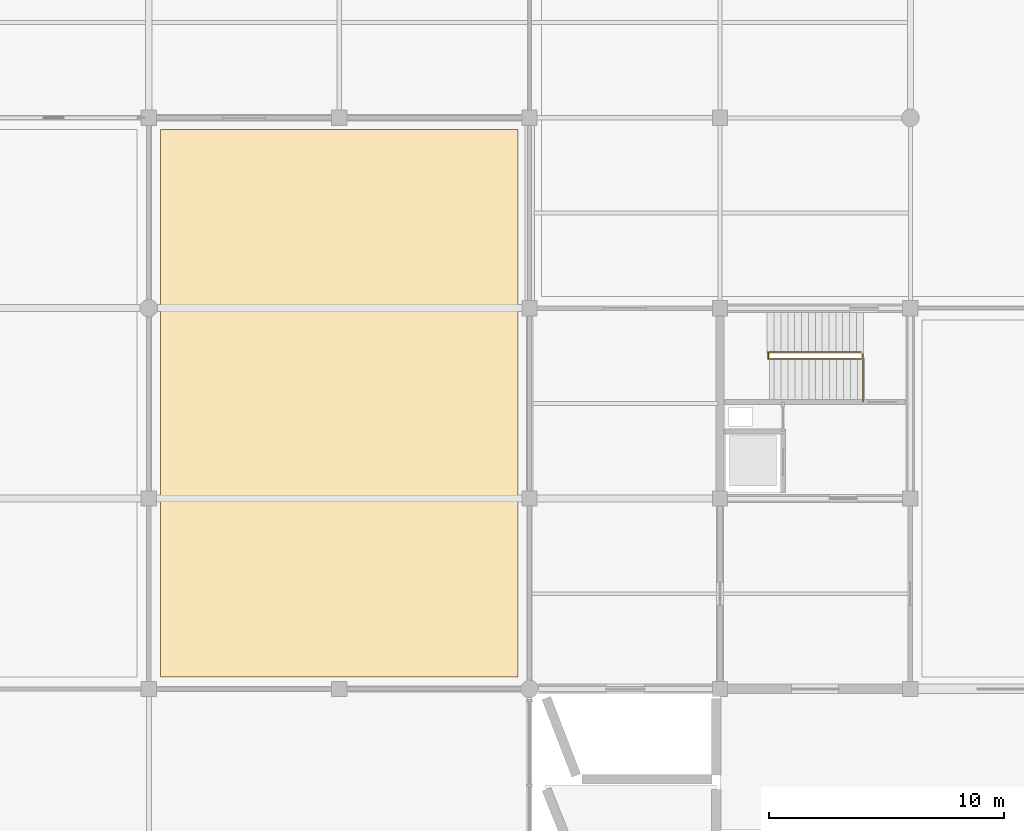
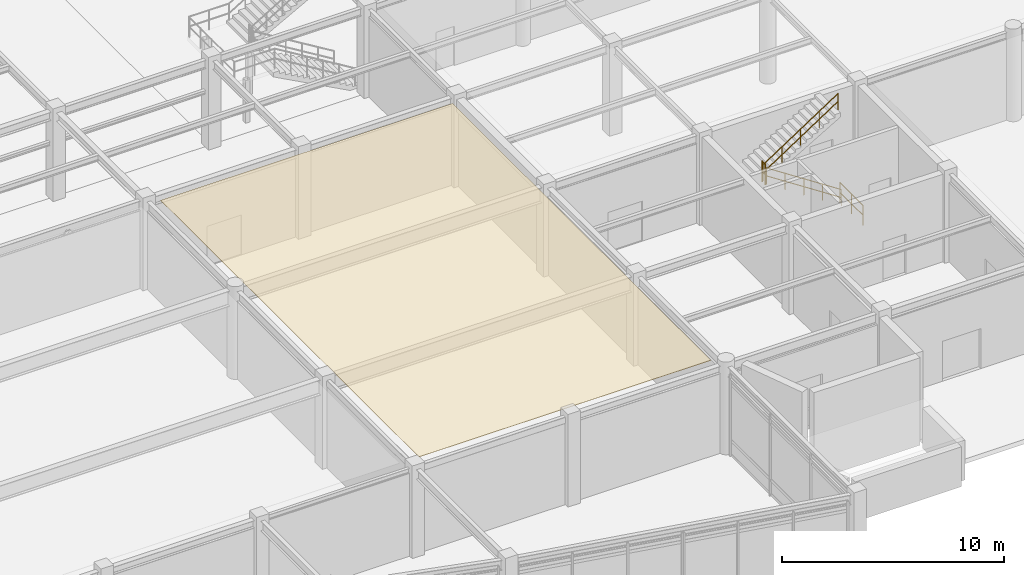
# One storey, part 88 of 99: 4 railings, 1 covering.
"""IFC4 building model written with IfcOpenShell, lengths in metres."""

from ifc_helpers import new_model, si_unit, direction, frame, origin, origin_2d, place, context, subcontext, project, spatial, polyline, circle, outline, extrude, material, layer, layer_set, type_object, element, save


model = new_model("IFC4")

# Units and contexts
model_context = context("Model", 3, precision=1e-05, world=origin(), true_north=direction((0.0, 1.0)))
body_context = subcontext(model_context, "Body", "Model", "MODEL_VIEW")
ifc_project = project(units=[si_unit("LENGTHUNIT", "METRE"), si_unit("AREAUNIT", "SQUARE_METRE"), si_unit("VOLUMEUNIT", "CUBIC_METRE"), si_unit("PLANEANGLEUNIT", "RADIAN"), si_unit("MASSUNIT", "GRAM", prefix="KILO")], contexts=[model_context])

# Site, building, storey
site_placement = place(None, origin())
site = spatial("IfcSite", under=ifc_project, at=site_placement, CompositionType="ELEMENT")
building_placement = place(site_placement, origin())
building = spatial("IfcBuilding", under=site, at=building_placement, Name="Vaudrelin Polytechnic", CompositionType="ELEMENT")
storey_placement = place(building_placement, origin())
storey = spatial("IfcBuildingStorey", under=building, at=storey_placement, Name="L00", CompositionType="ELEMENT", Elevation=0.0)

# Covering
ifc_material_1 = material(Name="Mineral-fibre acoustic ceiling tile NRC 0.85", Category="ceiling")
ifc_layer = layer(ifc_material_1, 0.02490234375)
ifc_layer_set = layer_set([ifc_layer], Name="Mineral-fibre acoustic ceiling tile NRC 0.85")
covering_type = type_object("IfcCoveringType", Name="COV-CLG-ACT", PredefinedType="CEILING", material=ifc_layer_set)
covering_placement = place(storey_placement, frame((0.0, 0.0, 4.794921875)))
element("IfcCovering", 1, at=covering_placement, inside=storey, type_object=covering_type, Name="Acoustic ceiling L00-009", PredefinedType="CEILING", context=body_context, shape_type="SweptSolid", body=[
    extrude(outline(polyline([(65.300048828125, 0.5), (80.5, 0.5), (80.5, 23.800048828125), (65.300048828125, 23.800048828125), (65.300048828125, 0.5)])), origin(), (0.0, 0.0, 1.0), 0.025146484375),
])

# Railings
ifc_material_2 = material(Name="Brushed stainless steel AISI 304", Category="steel")
railing_type_1 = type_object("IfcRailingType", Name="RAL-GR-INT", PredefinedType="GUARDRAIL", material=ifc_material_2)
railing_1_placement = place(storey_placement, frame((95.179931640625, 12.2099609375, 0.0)))
element("IfcRailing", 2, at=railing_1_placement, inside=storey, type_object=railing_type_1, Name="ST-05-B1 upper well guardrail", PredefinedType="GUARDRAIL", context=body_context, shape_type="SweptSolid", body=[
    extrude(circle(Radius=0.02392578125, at=origin_2d()), frame((0.0, 0.023193359375, 1.09619140625), z_axis=(0.0, 1.0, 0.0), x_axis=(-1.0, 0.0, 0.0)), (0.0, 0.0, 1.0), 2.02392578125),
    extrude(circle(Radius=0.02392578125, at=origin_2d()), frame((0.0, 0.023193359375, 0.56005859375), z_axis=(0.0, 1.0, 0.0), x_axis=(-1.0, 0.0, 0.0)), (0.0, 0.0, 1.0), 2.02392578125),
    extrude(circle(Radius=0.02099609375, at=origin_2d()), origin(), (0.0, 0.0, 1.0), 1.1201171875),
    extrude(circle(Radius=0.02099609375, at=origin_2d()), frame((0.0, 1.03515625, 0.0)), (0.0, 0.0, 1.0), 1.1201171875),
    extrude(circle(Radius=0.02099609375, at=origin_2d()), frame((0.0, 2.070068359375, 0.0)), (0.0, 0.0, 1.0), 1.1201171875),
])
railing_2_placement = place(storey_placement, frame((91.14990234375, 14.0400390625, 2.550048828125)))
element("IfcRailing", 3, at=railing_2_placement, inside=storey, type_object=railing_type_1, Name="ST-05-L00 landing well guardrail", PredefinedType="GUARDRAIL", context=body_context, shape_type="SweptSolid", body=[
    extrude(circle(Radius=0.02392578125, at=origin_2d()), frame((0.0, 0.023193359375, 1.09619140625), z_axis=(0.0, 1.0, 0.0), x_axis=(-1.0, 0.0, 0.0)), (0.0, 0.0, 1.0), 0.23388671875),
    extrude(circle(Radius=0.02392578125, at=origin_2d()), frame((0.0, 0.023193359375, 0.56005859375), z_axis=(0.0, 1.0, 0.0), x_axis=(-1.0, 0.0, 0.0)), (0.0, 0.0, 1.0), 0.23388671875),
    extrude(circle(Radius=0.02099609375, at=origin_2d()), origin(), (0.0, 0.0, 1.0), 1.1201171875),
    extrude(circle(Radius=0.02099609375, at=origin_2d()), frame((0.0, 0.280029296875, 0.0)), (0.0, 0.0, 1.0), 1.1201171875),
])
railing_type_2 = type_object("IfcRailingType", Name="RAL-HR-STR", PredefinedType="HANDRAIL", material=ifc_material_2)
railing_3_placement = place(storey_placement, frame((95.10009765625, 14.030029296875, 0.0)))
element("IfcRailing", 4, at=railing_3_placement, inside=storey, type_object=railing_type_2, Name="ST-05-L00 flight 1 handrail", PredefinedType="HANDRAIL", context=body_context, shape_type="SweptSolid", body=[
    extrude(circle(Radius=0.02392578125, at=origin_2d()), frame((-0.019287109375, 0.0, 0.908447265625), z_axis=(-0.836329188974, 0.0, 0.548227587476), x_axis=(0.0, -1.0, 0.0)), (0.0, 0.0, 1.0), 4.605224609375),
    extrude(circle(Radius=0.02392578125, at=origin_2d()), frame((-0.019287109375, 0.0, 0.47265625), z_axis=(-0.836329188974, 0.0, 0.548227587476), x_axis=(0.0, -1.0, 0.0)), (0.0, 0.0, 1.0), 4.605224609375),
    extrude(circle(Radius=0.02099609375, at=origin_2d()), origin(), (0.0, 0.0, 1.0), 0.919921875),
    extrude(circle(Radius=0.02099609375, at=origin_2d()), frame((-0.97265625, 0.0, 0.637451171875)), (0.0, 0.0, 1.0), 0.919921875),
    extrude(circle(Radius=0.02099609375, at=origin_2d()), frame((-1.945068359375, 0.0, 1.27490234375)), (0.0, 0.0, 1.0), 0.919921875),
    extrude(circle(Radius=0.02099609375, at=origin_2d()), frame((-2.91748046875, 0.0, 1.91259765625)), (0.0, 0.0, 1.0), 0.919921875),
    extrude(circle(Radius=0.02099609375, at=origin_2d()), frame((-3.89013671875, 0.0, 2.550048828125)), (0.0, 0.0, 1.0), 0.919921875),
])
railing_4_placement = place(storey_placement, frame((91.2099609375, 14.330078125, 2.550048828125)))
element("IfcRailing", 5, at=railing_4_placement, inside=storey, type_object=railing_type_2, Name="ST-05-L00 flight 2 handrail", PredefinedType="HANDRAIL", context=body_context, shape_type="SweptSolid", body=[
    extrude(circle(Radius=0.02392578125, at=origin_2d()), frame((0.019287109375, 0.0, 0.908447265625), z_axis=(0.836329188974, 0.0, 0.548227587476), x_axis=(0.0, 1.0, 0.0)), (0.0, 0.0, 1.0), 4.605224609375),
    extrude(circle(Radius=0.02392578125, at=origin_2d()), frame((0.019287109375, 0.0, 0.47265625), z_axis=(0.836329188974, 0.0, 0.548227587476), x_axis=(0.0, 1.0, 0.0)), (0.0, 0.0, 1.0), 4.605224609375),
    extrude(circle(Radius=0.02099609375, at=origin_2d()), origin(), (0.0, 0.0, 1.0), 0.919921875),
    extrude(circle(Radius=0.02099609375, at=origin_2d()), frame((0.97265625, 0.0, 0.637451171875)), (0.0, 0.0, 1.0), 0.919921875),
    extrude(circle(Radius=0.02099609375, at=origin_2d()), frame((1.945068359375, 0.0, 1.27490234375)), (0.0, 0.0, 1.0), 0.919921875),
    extrude(circle(Radius=0.02099609375, at=origin_2d()), frame((2.91748046875, 0.0, 1.91259765625)), (0.0, 0.0, 1.0), 0.919921875),
    extrude(circle(Radius=0.02099609375, at=origin_2d()), frame((3.89013671875, 0.0, 2.550048828125)), (0.0, 0.0, 1.0), 0.919921875),
])

save(model, "model.ifc")
